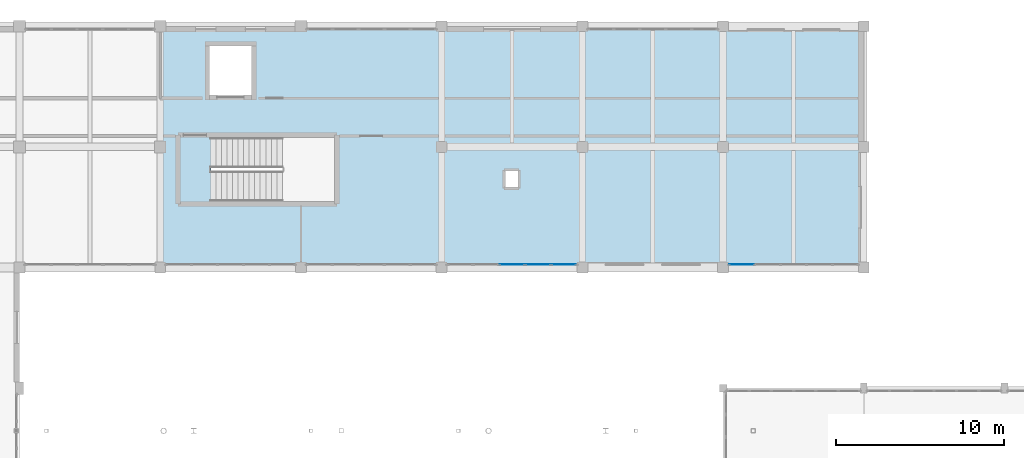
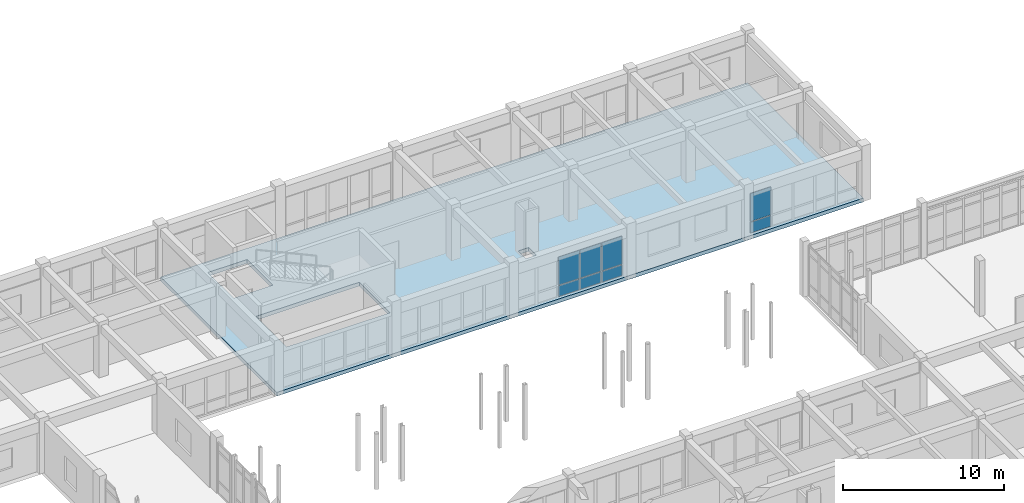
# One storey, part 114 of 147: 8 plates, 1 slab, 2 elements without a shape of their own.
"""IFC4 building model written with IfcOpenShell, lengths in metres."""

from ifc_helpers import new_model, si_unit, direction, frame, origin, origin_2d, place, context, subcontext, project, spatial, polyline, rectangle, outline, extrude, material, layer, layer_set, type_object, element, aggregate, save


model = new_model("IFC4")

# Units and contexts
model_context = context("Model", 3, precision=1e-05, world=origin(), true_north=direction((0.0, 1.0)))
body_context = subcontext(model_context, "Body", "Model", "MODEL_VIEW")
ifc_project = project(units=[si_unit("LENGTHUNIT", "METRE"), si_unit("AREAUNIT", "SQUARE_METRE"), si_unit("VOLUMEUNIT", "CUBIC_METRE"), si_unit("PLANEANGLEUNIT", "RADIAN"), si_unit("MASSUNIT", "GRAM", prefix="KILO")], contexts=[model_context])

# Site, building, storey
site_placement = place(None, origin())
site = spatial("IfcSite", under=ifc_project, at=site_placement, CompositionType="ELEMENT")
building_placement = place(site_placement, origin())
building = spatial("IfcBuilding", under=site, at=building_placement, Name="Malvenik Polytechnic", CompositionType="ELEMENT")
storey_placement = place(building_placement, frame((0.0, 0.0, 5.10009765625)))
storey = spatial("IfcBuildingStorey", under=building, at=storey_placement, Name="L01", CompositionType="ELEMENT", Elevation=5.10009765625)

# Curtain wall, plate
ifc_material_1 = material(Name="Anodised aluminium 6060-T6", Category="aluminium")
curtain_wall_type = type_object("IfcCurtainWallType", Name="ARC-CW-CW-02", PredefinedType="NOTDEFINED", material=ifc_material_1)
curtain_wall_1_placement = place(storey_placement, origin())
curtain_wall_1 = element("IfcCurtainWall", 1, at=curtain_wall_1_placement, inside=storey, type_object=curtain_wall_type, Name="Unitised Curtain Wall CW-02 L01 #53", PredefinedType="NOTDEFINED")
ifc_material_2 = material(Name="Insulated low-E double glazing 8-16-8", Category="glass")
ifc_layer_1 = layer(ifc_material_2, 0.028076171875)
ifc_layer_set_1 = layer_set([ifc_layer_1], Name="Insulated low-E double glazing 8-16-8")
plate_type_1 = type_object("IfcPlateType", Name="ARC-CWP-CP-GLZ28", PredefinedType="CURTAIN_PANEL", material=ifc_layer_set_1)
plate_1_placement = place(storey_placement, frame((127.11328125, 115.3701171875, 0.929931640625), z_axis=(0.0, 0.0, 1.0), x_axis=(-1.0, 0.0, 0.0)))
plate_1 = element("IfcPlate", 2, at=plate_1_placement, type_object=plate_type_1, Name="CW-02 panel 5.2", PredefinedType="CURTAIN_PANEL", context=body_context, shape_type="SweptSolid", body=[
    extrude(rectangle(XDim=1.460693359375, YDim=0.028076171875, at=origin_2d()), origin(), (0.0, 0.0, 1.0), 2.1201171875),
])

# Curtain wall, plates
curtain_wall_2_placement = place(storey_placement, origin())
curtain_wall_2 = element("IfcCurtainWall", 3, at=curtain_wall_2_placement, inside=storey, type_object=curtain_wall_type, Name="Unitised Curtain Wall CW-02 L01 #54", PredefinedType="NOTDEFINED")
plate_2_placement = place(storey_placement, frame((116.486572265625, 115.3701171875, 0.929931640625), z_axis=(0.0, 0.0, 1.0), x_axis=(-1.0, 0.0, 0.0)))
plate_2 = element("IfcPlate", 4, at=plate_2_placement, type_object=plate_type_1, Name="CW-02 panel 1.2", PredefinedType="CURTAIN_PANEL", context=body_context, shape_type="SweptSolid", body=[
    extrude(rectangle(XDim=1.460693359375, YDim=0.028076171875, at=origin_2d()), origin(), (0.0, 0.0, 1.0), 2.1201171875),
])
plate_3_placement = place(storey_placement, frame((114.95068359375, 115.3701171875, 0.929931640625), z_axis=(0.0, 0.0, 1.0), x_axis=(-1.0, 0.0, 0.0)))
plate_3 = element("IfcPlate", 5, at=plate_3_placement, type_object=plate_type_1, Name="CW-02 panel 2.2", PredefinedType="CURTAIN_PANEL", context=body_context, shape_type="SweptSolid", body=[
    extrude(rectangle(XDim=1.49072265625, YDim=0.028076171875, at=origin_2d()), origin(), (0.0, 0.0, 1.0), 2.1201171875),
])
plate_4_placement = place(storey_placement, frame((113.39990234375, 115.3701171875, 0.929931640625), z_axis=(0.0, 0.0, 1.0), x_axis=(-1.0, 0.0, 0.0)))
plate_4 = element("IfcPlate", 6, at=plate_4_placement, type_object=plate_type_1, Name="CW-02 panel 3.2", PredefinedType="CURTAIN_PANEL", context=body_context, shape_type="SweptSolid", body=[
    extrude(rectangle(XDim=1.49072265625, YDim=0.028076171875, at=origin_2d()), origin(), (0.0, 0.0, 1.0), 2.1201171875),
])

# Plate
ifc_material_3 = material(Name="Insulated aluminium spandrel cassette 42mm", Category="aluminium")
ifc_layer_2 = layer(ifc_material_3, 0.0419921875)
ifc_layer_set_2 = layer_set([ifc_layer_2], Name="Insulated aluminium spandrel cassette 42mm")
plate_type_2 = type_object("IfcPlateType", Name="ARC-CWP-CP-SPN42", PredefinedType="CURTAIN_PANEL", material=ifc_layer_set_2)
plate_5_placement = place(storey_placement, frame((127.11328125, 115.3701171875, 0.059814453125), z_axis=(0.0, 0.0, 1.0), x_axis=(-1.0, 0.0, 0.0)))
plate_5 = element("IfcPlate", 7, at=plate_5_placement, type_object=plate_type_2, Name="CW-02 panel 5.1", PredefinedType="CURTAIN_PANEL", context=body_context, shape_type="SweptSolid", body=[
    extrude(rectangle(XDim=1.460693359375, YDim=0.028076171875, at=origin_2d()), origin(), (0.0, 0.0, 1.0), 0.81005859375),
])

aggregate(curtain_wall_1, [plate_5, plate_1])

plate_6_placement = place(storey_placement, frame((116.486572265625, 115.3701171875, 0.059814453125), z_axis=(0.0, 0.0, 1.0), x_axis=(-1.0, 0.0, 0.0)))
plate_6 = element("IfcPlate", 8, at=plate_6_placement, type_object=plate_type_2, Name="CW-02 panel 1.1", PredefinedType="CURTAIN_PANEL", context=body_context, shape_type="SweptSolid", body=[
    extrude(rectangle(XDim=1.460693359375, YDim=0.028076171875, at=origin_2d()), origin(), (0.0, 0.0, 1.0), 0.81005859375),
])

plate_7_placement = place(storey_placement, frame((114.95068359375, 115.3701171875, 0.059814453125), z_axis=(0.0, 0.0, 1.0), x_axis=(-1.0, 0.0, 0.0)))
plate_7 = element("IfcPlate", 9, at=plate_7_placement, type_object=plate_type_2, Name="CW-02 panel 2.1", PredefinedType="CURTAIN_PANEL", context=body_context, shape_type="SweptSolid", body=[
    extrude(rectangle(XDim=1.49072265625, YDim=0.028076171875, at=origin_2d()), origin(), (0.0, 0.0, 1.0), 0.81005859375),
])

plate_8_placement = place(storey_placement, frame((113.39990234375, 115.3701171875, 0.059814453125), z_axis=(0.0, 0.0, 1.0), x_axis=(-1.0, 0.0, 0.0)))
plate_8 = element("IfcPlate", 10, at=plate_8_placement, type_object=plate_type_2, Name="CW-02 panel 3.1", PredefinedType="CURTAIN_PANEL", context=body_context, shape_type="SweptSolid", body=[
    extrude(rectangle(XDim=1.49072265625, YDim=0.028076171875, at=origin_2d()), origin(), (0.0, 0.0, 1.0), 0.81005859375),
])

aggregate(curtain_wall_2, [plate_6, plate_2, plate_7, plate_3, plate_8, plate_4])

# Slab
ifc_material_4 = material(Name="Concrete C35/45", Category="concrete")
ifc_layer_3 = layer(ifc_material_4, 0.280029296875)
ifc_layer_set_3 = layer_set([ifc_layer_3], Name="Concrete C35/45")
slab_type = type_object("IfcSlabType", Name="STR-SLB-FLR-280", PredefinedType="FLOOR", material=ifc_layer_set_3)
slab_placement = place(storey_placement, frame((0.0, 0.0, -0.280029296875)))
element("IfcSlab", 11, at=slab_placement, inside=storey, type_object=slab_type, Name="Structural Slab L01-V1 #48", PredefinedType="FLOOR", context=body_context, shape_type="SweptSolid", body=[
    extrude(outline(polyline([(134.3798828125, 129.60009765625), (134.3798828125, 115.199951171875), (92.419921875, 115.199951171875), (92.419921875, 129.60009765625), (134.3798828125, 129.60009765625)]), holes=[polyline([(113.75, 120.949951171875), (113.0, 120.949951171875), (113.0, 120.0), (113.75, 120.0), (113.75, 120.949951171875)]), polyline([(95.41796875, 119.14990234375), (102.800048828125, 119.14990234375), (102.800048828125, 122.949951171875), (95.41796875, 122.949951171875), (95.41796875, 119.14990234375)]), polyline([(98.0, 125.35009765625), (98.0, 128.550048828125), (95.199951171875, 128.550048828125), (95.199951171875, 125.35009765625), (98.0, 125.35009765625)])]), origin(), (0.0, 0.0, 1.0), 0.280029296875),
])

save(model, "model.ifc")
